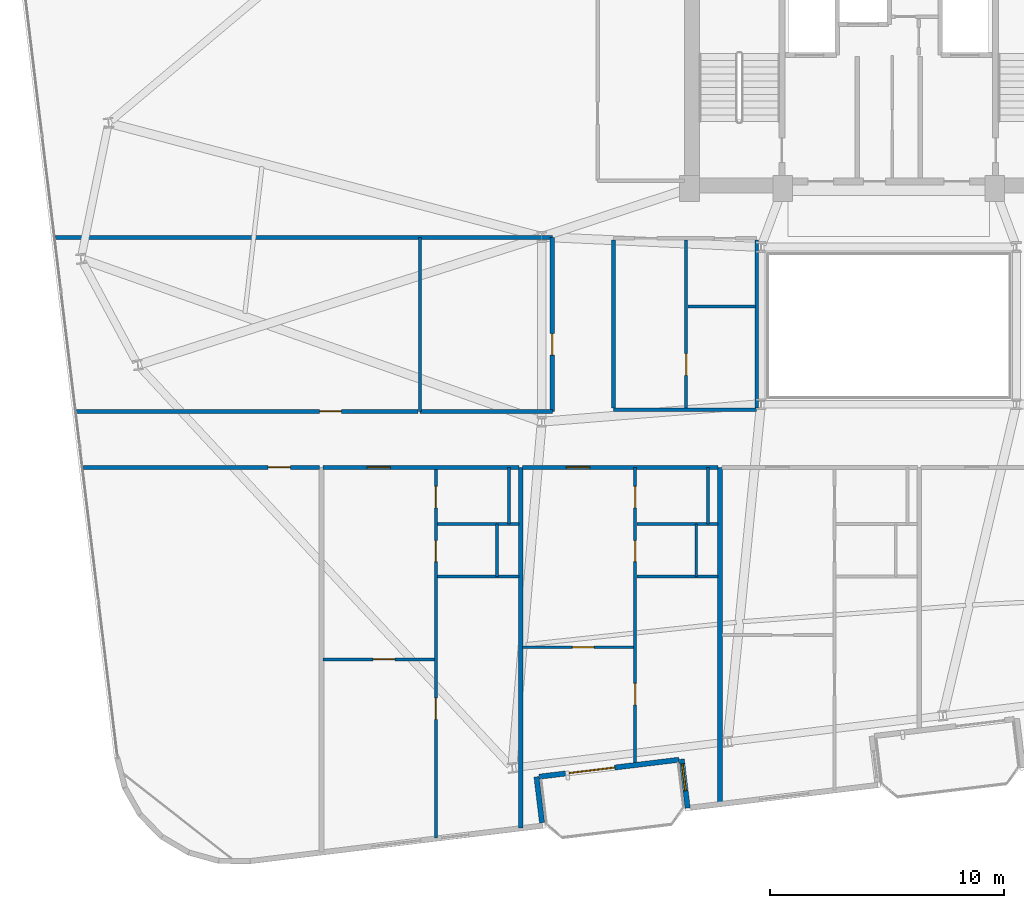
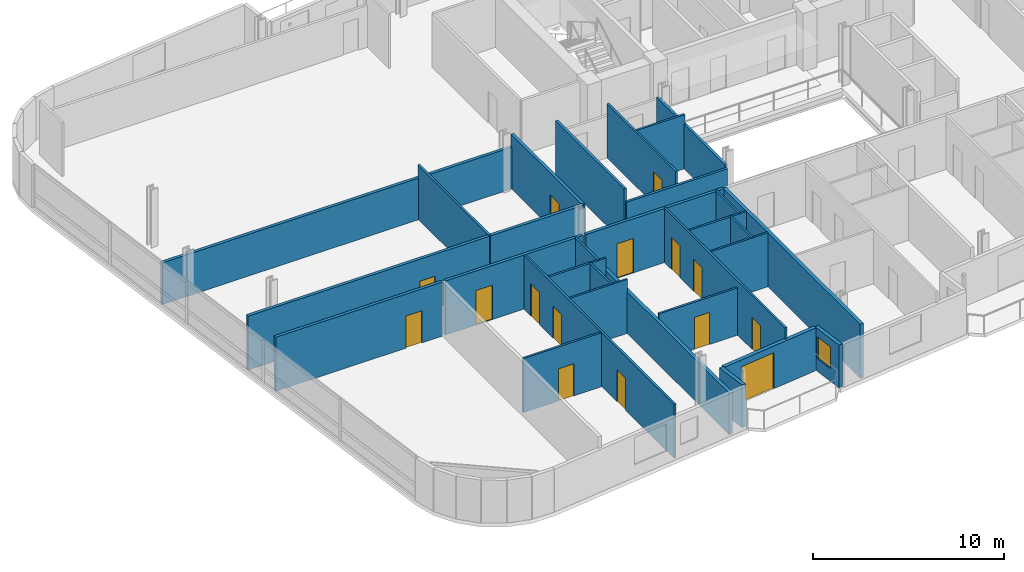
# One storey, part 15 of 24: 30 walls, 15 doors, 1 window, 16 openings.
"""IFC4 building model written with IfcOpenShell, lengths in metres."""

from ifc_helpers import new_model, si_unit, direction, frame, frame_2d, origin, place, context, subcontext, project, spatial, rectangle, extrude, material, layer, layer_set, type_object, element, fill, save


model = new_model("IFC4")

# Units and contexts
model_context = context("Model", 3, precision=1e-05, world=origin(), true_north=direction((0.0, 1.0)))
body_context = subcontext(model_context, "Body", "Model", "MODEL_VIEW")
ifc_project = project(units=[si_unit("LENGTHUNIT", "METRE"), si_unit("AREAUNIT", "SQUARE_METRE"), si_unit("VOLUMEUNIT", "CUBIC_METRE"), si_unit("PLANEANGLEUNIT", "RADIAN"), si_unit("MASSUNIT", "GRAM", prefix="KILO")], contexts=[model_context])

# Site, building, storey
site_placement = place(None, origin())
site = spatial("IfcSite", under=ifc_project, at=site_placement, CompositionType="ELEMENT")
building_placement = place(site_placement, origin())
building = spatial("IfcBuilding", under=site, at=building_placement, Name="Varnelok Gate Tower", CompositionType="ELEMENT")
storey_placement = place(building_placement, frame((0.0, 0.0, 196.800048828125)))
storey = spatial("IfcBuildingStorey", under=building, at=storey_placement, Name="L50", CompositionType="ELEMENT", Elevation=196.800048828125)

# Wall, opening, door
ifc_material_1 = material(Name="Concrete C45/55", Category="concrete")
ifc_layer_1 = layer(ifc_material_1, 0.219970703125)
ifc_layer_set_1 = layer_set([ifc_layer_1], Name="Concrete C45/55")
wall_type_1 = type_object("IfcWallType", Name="EW-BALC-220", PredefinedType="SOLIDWALL", material=ifc_layer_set_1)
wall_1_placement = place(storey_placement, frame((30.25244140625, 4.381103515625, 0.0), z_axis=(0.0, 0.0, 1.0), x_axis=(-0.992735402148, -0.120318000826, 0.0)))
wall_1 = element("IfcWall", 1, at=wall_1_placement, inside=storey, type_object=wall_type_1, Name="L50 South Terrace Envelope Wall 1", PredefinedType="SOLIDWALL", context=body_context, shape_type="SweptSolid", body=[
    extrude(rectangle(XDim=6.000244140625, YDim=0.219970703125, at=frame_2d((3.0, 0.0))), origin(), (0.0, 0.0, 1.0), 2.72998046875),
])
opening_1_placement = place(wall_1_placement, frame((2.756103515625, 0.0, 0.0)))
opening_1 = element("IfcOpeningElement", 2, at=opening_1_placement, cuts=wall_1, Name="Opening BD-2", PredefinedType="OPENING", context=body_context, shape_type="SweptSolid", body=[
    extrude(rectangle(XDim=2.10009765625, YDim=2.300048828125, at=frame_2d((1.050048828125, 1.14990234375))), frame((0.0, 0.119873046875, 0.0), z_axis=(0.0, -1.0, 0.0), x_axis=(1.0, 0.0, 0.0)), (0.0, 0.0, 1.0), 0.239990234375),
])
ifc_material_2 = material(Name="Anodized Aluminum Alloy 6063-T6", Category="aluminium")
door_type_1 = type_object("IfcDoorType", Name="DR-EXT-SLID2100", OperationType="SLIDING_TO_LEFT", PredefinedType="DOOR", material=ifc_material_2)
door_1_placement = place(opening_1_placement, origin())
door_1 = element("IfcDoor", 3, at=door_1_placement, inside=storey, type_object=door_type_1, Name="L50 South Balcony Glazed Door 1", OperationType="SLIDING_TO_LEFT", OverallHeight=2.300048828125, OverallWidth=2.10009765625, PredefinedType="DOOR", context=body_context, shape_type="SweptSolid", body=[
    extrude(rectangle(XDim=2.10009765625, YDim=2.300048828125, at=frame_2d((1.050048828125, 1.14990234375))), frame((0.0, 0.02490234375, 0.0), z_axis=(0.0, -1.0, 0.0), x_axis=(1.0, 0.0, 0.0)), (0.0, 0.0, 1.0), 0.050048828125),
])
fill(opening_1, door_1)

# Wall
wall_2_placement = place(storey_placement, frame((24.413330078125, 1.694091796875, 0.0), z_axis=(0.0, 0.0, 1.0), x_axis=(-0.120290754542, 0.992738703976, 0.0)))
element("IfcWall", 4, at=wall_2_placement, inside=storey, type_object=wall_type_1, Name="L50 Perimeter Facade Closure Wall 8", PredefinedType="SOLIDWALL", context=body_context, shape_type="SweptSolid", body=[
    extrude(rectangle(XDim=1.974853515625, YDim=0.219970703125, at=frame_2d((0.9873046875, 0.0))), origin(), (0.0, 0.0, 1.0), 2.72998046875),
])

# Wall, opening, window
wall_3_placement = place(storey_placement, frame((30.370361328125, 4.405517578125, 0.0), z_axis=(0.0, 0.0, 1.0), x_axis=(0.120327895535, -0.992734202874, 0.0)))
wall_3 = element("IfcWall", 5, at=wall_3_placement, inside=storey, type_object=wall_type_1, Name="L50 Perimeter Facade Closure Wall 9", PredefinedType="SOLIDWALL", context=body_context, shape_type="SweptSolid", body=[
    extrude(rectangle(XDim=2.099853515625, YDim=0.219970703125, at=frame_2d((1.0498046875, 0.0))), origin(), (0.0, 0.0, 1.0), 2.72998046875),
])
opening_2_placement = place(wall_3_placement, frame((0.199951171875, 0.0, 0.800048828125)))
opening_2 = element("IfcOpeningElement", 6, at=opening_2_placement, cuts=wall_3, Name="Opening WN8", PredefinedType="OPENING", context=body_context, shape_type="SweptSolid", body=[
    extrude(rectangle(XDim=1.14990234375, YDim=1.39990234375, at=frame_2d((0.574951171875, 0.699951171875))), frame((0.0, 0.119873046875, 0.0), z_axis=(0.0, -1.0, 0.0), x_axis=(1.0, 0.0, 0.0)), (0.0, 0.0, 1.0), 0.239990234375),
])
ifc_material_3 = material(Name="Low-E Laminated Double Glazing IGU", Category="glass")
window_type = type_object("IfcWindowType", Name="WN-BED-1150", PartitioningType="SINGLE_PANEL", PredefinedType="WINDOW", material=ifc_material_3)
window_placement = place(opening_2_placement, origin())
window = element("IfcWindow", 7, at=window_placement, inside=storey, type_object=window_type, Name="L50 Bedroom Vision Window 35", OverallHeight=1.39990234375, OverallWidth=1.14990234375, PartitioningType="SINGLE_PANEL", PredefinedType="WINDOW", context=body_context, shape_type="SweptSolid", body=[
    extrude(rectangle(XDim=1.14990234375, YDim=1.39990234375, at=frame_2d((0.574951171875, 0.699951171875))), frame((0.0, 0.030029296875, 0.0), z_axis=(0.0, -1.0, 0.0), x_axis=(1.0, 0.0, 0.0)), (0.0, 0.0, 1.0), 0.06005859375),
])
fill(opening_2, window)

# Wall, opening, door
ifc_material_4 = material(Name="Gypsum Plasterboard Acoustic Partition", Category="gypsum")
ifc_layer_2 = layer(ifc_material_4, 0.179931640625)
ifc_layer_set_2 = layer_set([ifc_layer_2], Name="Gypsum Plasterboard Acoustic Partition")
wall_type_2 = type_object("IfcWallType", Name="PW-CORR-180", PredefinedType="PARTITIONING", material=ifc_layer_set_2)
wall_4_placement = place(storey_placement, frame((4.846923828125, 16.85009765625, 0.0), z_axis=(0.0, 0.0, 1.0), x_axis=(1.0, 0.0, 0.0)))
wall_4 = element("IfcWall", 8, at=wall_4_placement, inside=storey, type_object=wall_type_2, Name="Interior Partition", PredefinedType="PARTITIONING", context=body_context, shape_type="SweptSolid", body=[
    extrude(rectangle(XDim=10.072998046875, YDim=0.179931640625, at=frame_2d((5.03662109375, 0.0))), origin(), (0.0, 0.0, 1.0), 3.449951171875),
])
opening_3_placement = place(wall_4_placement, frame((7.8779296875, 0.0, 0.0)))
opening_3 = element("IfcOpeningElement", 9, at=opening_3_placement, cuts=wall_4, Name="Opening D-I2", PredefinedType="OPENING", context=body_context, shape_type="SweptSolid", body=[
    extrude(rectangle(XDim=0.949951171875, YDim=2.050048828125, at=frame_2d((0.47509765625, 1.02490234375))), frame((0.0, 0.099853515625, 0.0), z_axis=(0.0, -1.0, 0.0), x_axis=(1.0, 0.0, 0.0)), (0.0, 0.0, 1.0), 0.199951171875),
])
ifc_material_5 = material(Name="Engineered Hardwood Timber", Category="wood")
door_type_2 = type_object("IfcDoorType", Name="DR-INT-950", OperationType="NOTDEFINED", PredefinedType="DOOR", material=ifc_material_5)
door_2_placement = place(opening_3_placement, origin())
door_2 = element("IfcDoor", 10, at=door_2_placement, inside=storey, type_object=door_type_2, Name="L50 Wellness Spa Lounge Door", OperationType="SINGLE_SWING_LEFT", OverallHeight=2.050048828125, OverallWidth=0.949951171875, PredefinedType="DOOR", context=body_context, shape_type="SweptSolid", body=[
    extrude(rectangle(XDim=0.949951171875, YDim=2.050048828125, at=frame_2d((0.47509765625, 1.02490234375))), frame((0.0, 0.02490234375, 0.0), z_axis=(0.0, -1.0, 0.0), x_axis=(1.0, 0.0, 0.0)), (0.0, 0.0, 1.0), 0.050048828125),
])
fill(opening_3, door_2)

wall_5_placement = place(storey_placement, frame((15.080078125, 16.85009765625, 0.0), z_axis=(0.0, 0.0, 1.0), x_axis=(1.0, 0.0, 0.0)))
wall_5 = element("IfcWall", 11, at=wall_5_placement, inside=storey, type_object=wall_type_2, Name="Interior Partition", PredefinedType="PARTITIONING", context=body_context, shape_type="SweptSolid", body=[
    extrude(rectangle(XDim=8.33984375, YDim=0.179931640625, at=frame_2d((4.169921875, 0.0))), origin(), (0.0, 0.0, 1.0), 3.449951171875),
])
opening_4_placement = place(wall_5_placement, frame((1.86767578125, 0.0, 0.0)))
opening_4 = element("IfcOpeningElement", 12, at=opening_4_placement, cuts=wall_5, Name="Opening D-AP", PredefinedType="OPENING", context=body_context, shape_type="SweptSolid", body=[
    extrude(rectangle(XDim=1.0, YDim=2.199951171875, at=frame_2d((0.5, 1.10009765625))), frame((0.0, 0.099853515625, 0.0), z_axis=(0.0, -1.0, 0.0), x_axis=(1.0, 0.0, 0.0)), (0.0, 0.0, 1.0), 0.199951171875),
])
door_type_3 = type_object("IfcDoorType", Name="DR-APT-1000", OperationType="NOTDEFINED", PredefinedType="DOOR", material=ifc_material_5)
door_3_placement = place(opening_4_placement, origin())
door_3 = element("IfcDoor", 13, at=door_3_placement, inside=storey, type_object=door_type_3, Name="L50 Apartment 2 Entrance Door", OperationType="SINGLE_SWING_LEFT", OverallHeight=2.199951171875, OverallWidth=1.0, PredefinedType="DOOR", context=body_context, shape_type="SweptSolid", body=[
    extrude(rectangle(XDim=1.0, YDim=2.199951171875, at=frame_2d((0.5, 1.10009765625))), frame((0.0, 0.02490234375, 0.0), z_axis=(0.0, -1.0, 0.0), x_axis=(1.0, 0.0, 0.0)), (0.0, 0.0, 1.0), 0.050048828125),
])
fill(opening_4, door_3)

wall_6_placement = place(storey_placement, frame((23.580078125, 16.85009765625, 0.0), z_axis=(0.0, 0.0, 1.0), x_axis=(1.0, 0.0, 0.0)))
wall_6 = element("IfcWall", 14, at=wall_6_placement, inside=storey, type_object=wall_type_2, Name="Interior Partition", PredefinedType="PARTITIONING", context=body_context, shape_type="SweptSolid", body=[
    extrude(rectangle(XDim=8.33984375, YDim=0.179931640625, at=frame_2d((4.169921875, 0.0))), origin(), (0.0, 0.0, 1.0), 3.449951171875),
])
opening_5_placement = place(wall_6_placement, frame((1.86767578125, 0.0, 0.0)))
opening_5 = element("IfcOpeningElement", 15, at=opening_5_placement, cuts=wall_6, Name="Opening D-AP", PredefinedType="OPENING", context=body_context, shape_type="SweptSolid", body=[
    extrude(rectangle(XDim=1.0, YDim=2.199951171875, at=frame_2d((0.5, 1.10009765625))), frame((0.0, 0.099853515625, 0.0), z_axis=(0.0, -1.0, 0.0), x_axis=(1.0, 0.0, 0.0)), (0.0, 0.0, 1.0), 0.199951171875),
])
door_4_placement = place(opening_5_placement, origin())
door_4 = element("IfcDoor", 16, at=door_4_placement, inside=storey, type_object=door_type_3, Name="L50 Apartment 3 Entrance Door", OperationType="SINGLE_SWING_RIGHT", OverallHeight=2.199951171875, OverallWidth=1.0, PredefinedType="DOOR", context=body_context, shape_type="SweptSolid", body=[
    extrude(rectangle(XDim=1.0, YDim=2.199951171875, at=frame_2d((0.5, 1.10009765625))), frame((0.0, 0.02490234375, 0.0), z_axis=(0.0, -1.0, 0.0), x_axis=(1.0, 0.0, 0.0)), (0.0, 0.0, 1.0), 0.050048828125),
])
fill(opening_5, door_4)

wall_7_placement = place(storey_placement, frame((4.55712890625, 19.239990234375, 0.0), z_axis=(0.0, 0.0, 1.0), x_axis=(1.0, 0.0, 0.0)))
wall_7 = element("IfcWall", 17, at=wall_7_placement, inside=storey, type_object=wall_type_2, Name="Interior Partition", PredefinedType="PARTITIONING", context=body_context, shape_type="SweptSolid", body=[
    extrude(rectangle(XDim=14.56298828125, YDim=0.179931640625, at=frame_2d((7.281494140625, 0.0))), origin(), (0.0, 0.0, 1.0), 3.449951171875),
])
opening_6_placement = place(wall_7_placement, frame((10.371826171875, 0.0, 0.0)))
opening_6 = element("IfcOpeningElement", 18, at=opening_6_placement, cuts=wall_7, Name="Opening D-I3", PredefinedType="OPENING", context=body_context, shape_type="SweptSolid", body=[
    extrude(rectangle(XDim=0.919921875, YDim=2.050048828125, at=frame_2d((0.4599609375, 1.02490234375))), frame((0.0, 0.099853515625, 0.0), z_axis=(0.0, -1.0, 0.0), x_axis=(1.0, 0.0, 0.0)), (0.0, 0.0, 1.0), 0.199951171875),
])
door_type_4 = type_object("IfcDoorType", Name="DR-INT-920", OperationType="NOTDEFINED", PredefinedType="DOOR", material=ifc_material_5)
door_5_placement = place(opening_6_placement, origin())
door_5 = element("IfcDoor", 19, at=door_5_placement, inside=storey, type_object=door_type_4, Name="L50 West Treatment Door", OperationType="SINGLE_SWING_RIGHT", OverallHeight=2.050048828125, OverallWidth=0.919921875, PredefinedType="DOOR", context=body_context, shape_type="SweptSolid", body=[
    extrude(rectangle(XDim=0.919921875, YDim=2.050048828125, at=frame_2d((0.4599609375, 1.02490234375))), frame((0.0, 0.02490234375, 0.0), z_axis=(0.0, -1.0, 0.0), x_axis=(1.0, 0.0, 0.0)), (0.0, 0.0, 1.0), 0.050048828125),
])
fill(opening_6, door_5)

wall_8_placement = place(storey_placement, frame((24.85009765625, 19.239990234375, 0.0), z_axis=(0.0, 0.0, 1.0), x_axis=(0.0, 1.0, 0.0)))
wall_8 = element("IfcWall", 20, at=wall_8_placement, inside=storey, type_object=wall_type_2, Name="Interior Partition", PredefinedType="PARTITIONING", context=body_context, shape_type="SweptSolid", body=[
    extrude(rectangle(XDim=7.419921875, YDim=0.179931640625, at=frame_2d((3.7099609375, 0.0))), origin(), (0.0, 0.0, 1.0), 3.449951171875),
])
opening_7_placement = place(wall_8_placement, frame((2.39990234375, 0.0, 0.0)))
opening_7 = element("IfcOpeningElement", 21, at=opening_7_placement, cuts=wall_8, Name="Opening D-I3", PredefinedType="OPENING", context=body_context, shape_type="SweptSolid", body=[
    extrude(rectangle(XDim=0.919921875, YDim=2.050048828125, at=frame_2d((0.4599609375, 1.02490234375))), frame((0.0, 0.099853515625, 0.0), z_axis=(0.0, -1.0, 0.0), x_axis=(1.0, 0.0, 0.0)), (0.0, 0.0, 1.0), 0.199951171875),
])
door_6_placement = place(opening_7_placement, origin())
door_6 = element("IfcDoor", 22, at=door_6_placement, inside=storey, type_object=door_type_4, Name="L50 West Playroom Door", OperationType="SINGLE_SWING_LEFT", OverallHeight=2.050048828125, OverallWidth=0.919921875, PredefinedType="DOOR", context=body_context, shape_type="SweptSolid", body=[
    extrude(rectangle(XDim=0.919921875, YDim=2.050048828125, at=frame_2d((0.4599609375, 1.02490234375))), frame((0.0, 0.02490234375, 0.0), z_axis=(0.0, -1.0, 0.0), x_axis=(1.0, 0.0, 0.0)), (0.0, 0.0, 1.0), 0.050048828125),
])
fill(opening_7, door_6)

# Walls
wall_9_placement = place(storey_placement, frame((19.199951171875, 19.239990234375, 0.0), z_axis=(0.0, 0.0, 1.0), x_axis=(1.0, 0.0, 0.0)))
element("IfcWall", 23, at=wall_9_placement, inside=storey, type_object=wall_type_2, Name="Interior Partition", PredefinedType="PARTITIONING", context=body_context, shape_type="SweptSolid", body=[
    extrude(rectangle(XDim=5.650146484375, YDim=0.179931640625, at=frame_2d((2.8251953125, 0.0))), origin(), (0.0, 0.0, 1.0), 3.449951171875),
])
wall_10_placement = place(storey_placement, frame((3.65771484375, 26.659912109375, 0.0), z_axis=(0.0, 0.0, 1.0), x_axis=(1.0, 0.0, 0.0)))
element("IfcWall", 24, at=wall_10_placement, inside=storey, type_object=wall_type_2, Name="Interior Partition", PredefinedType="PARTITIONING", context=body_context, shape_type="SweptSolid", body=[
    extrude(rectangle(XDim=21.1923828125, YDim=0.179931640625, at=frame_2d((10.59619140625, 0.0))), origin(), (0.0, 0.0, 1.0), 2.661865234375),
])
ifc_layer_3 = layer(ifc_material_4, 0.114990234375)
ifc_layer_set_3 = layer_set([ifc_layer_3], Name="Gypsum Plasterboard Acoustic Partition")
wall_type_3 = type_object("IfcWallType", Name="PW-ENS-125", PredefinedType="PARTITIONING", material=ifc_layer_set_3)
wall_11_placement = place(storey_placement, frame((19.955078125, 12.199951171875, 0.0), z_axis=(0.0, 0.0, 1.0), x_axis=(1.0, 0.0, 0.0)))
element("IfcWall", 25, at=wall_11_placement, inside=storey, type_object=wall_type_3, Name="Interior Partition", PredefinedType="PARTITIONING", context=body_context, shape_type="SweptSolid", body=[
    extrude(rectangle(XDim=3.46484375, YDim=0.114990234375, at=frame_2d((1.732421875, 0.0))), origin(), (0.0, 0.0, 1.0), 3.449951171875),
])
wall_12_placement = place(storey_placement, frame((22.4951171875, 12.199951171875, 0.0), z_axis=(0.0, 0.0, 1.0), x_axis=(0.0, 1.0, 0.0)))
element("IfcWall", 26, at=wall_12_placement, inside=storey, type_object=wall_type_3, Name="Interior Partition", PredefinedType="PARTITIONING", context=body_context, shape_type="SweptSolid", body=[
    extrude(rectangle(XDim=2.239990234375, YDim=0.114990234375, at=frame_2d((1.1201171875, 0.0))), origin(), (0.0, 0.0, 1.0), 3.449951171875),
])
wall_13_placement = place(storey_placement, frame((28.455078125, 12.199951171875, 0.0), z_axis=(0.0, 0.0, 1.0), x_axis=(1.0, 0.0, 0.0)))
element("IfcWall", 27, at=wall_13_placement, inside=storey, type_object=wall_type_3, Name="Interior Partition", PredefinedType="PARTITIONING", context=body_context, shape_type="SweptSolid", body=[
    extrude(rectangle(XDim=3.46484375, YDim=0.114990234375, at=frame_2d((1.732421875, 0.0))), origin(), (0.0, 0.0, 1.0), 3.449951171875),
])
wall_14_placement = place(storey_placement, frame((30.9951171875, 12.199951171875, 0.0), z_axis=(0.0, 0.0, 1.0), x_axis=(0.0, 1.0, 0.0)))
element("IfcWall", 28, at=wall_14_placement, inside=storey, type_object=wall_type_3, Name="Interior Partition", PredefinedType="PARTITIONING", context=body_context, shape_type="SweptSolid", body=[
    extrude(rectangle(XDim=2.239990234375, YDim=0.114990234375, at=frame_2d((1.1201171875, 0.0))), origin(), (0.0, 0.0, 1.0), 3.449951171875),
])

# Wall, opening, door
ifc_layer_4 = layer(ifc_material_4, 0.125)
ifc_layer_set_4 = layer_set([ifc_layer_4], Name="Gypsum Plasterboard Acoustic Partition")
wall_type_4 = type_object("IfcWallType", Name="PW-PART-125", PredefinedType="PARTITIONING", material=ifc_layer_set_4)
wall_15_placement = place(storey_placement, frame((15.080078125, 8.663330078125, 0.0), z_axis=(0.0, 0.0, 1.0), x_axis=(1.0, 0.0, 0.0)))
wall_15 = element("IfcWall", 29, at=wall_15_placement, inside=storey, type_object=wall_type_4, Name="Interior Partition", PredefinedType="PARTITIONING", context=body_context, shape_type="SweptSolid", body=[
    extrude(rectangle(XDim=4.735107421875, YDim=0.125, at=frame_2d((2.36767578125, 0.0))), origin(), (0.0, 0.0, 1.0), 3.449951171875),
])
opening_8_placement = place(wall_15_placement, frame((2.130859375, 0.0, 0.0)))
opening_8 = element("IfcOpeningElement", 30, at=opening_8_placement, cuts=wall_15, Name="Opening D-I3", PredefinedType="OPENING", context=body_context, shape_type="SweptSolid", body=[
    extrude(rectangle(XDim=0.919921875, YDim=2.050048828125, at=frame_2d((0.4599609375, 1.02490234375))), frame((0.0, 0.072509765625, 0.0), z_axis=(0.0, -1.0, 0.0), x_axis=(1.0, 0.0, 0.0)), (0.0, 0.0, 1.0), 0.14501953125),
])
door_7_placement = place(opening_8_placement, origin())
door_7 = element("IfcDoor", 31, at=door_7_placement, inside=storey, type_object=door_type_4, Name="L50 Apartment 2 Study Door", OperationType="SINGLE_SWING_LEFT", OverallHeight=2.050048828125, OverallWidth=0.919921875, PredefinedType="DOOR", context=body_context, shape_type="SweptSolid", body=[
    extrude(rectangle(XDim=0.919921875, YDim=2.050048828125, at=frame_2d((0.4599609375, 1.02490234375))), frame((0.0, 0.02490234375, 0.0), z_axis=(0.0, -1.0, 0.0), x_axis=(1.0, 0.0, 0.0)), (0.0, 0.0, 1.0), 0.050048828125),
])
fill(opening_8, door_7)

# Wall, openings, doors
wall_16_placement = place(storey_placement, frame((19.88525390625, 1.039306640625, 0.0), z_axis=(0.0, 0.0, 1.0), x_axis=(0.0, 1.0, 0.0)))
wall_16 = element("IfcWall", 32, at=wall_16_placement, inside=storey, type_object=wall_type_4, Name="Interior Partition", PredefinedType="PARTITIONING", context=body_context, shape_type="SweptSolid", body=[
    extrude(rectangle(XDim=15.810791015625, YDim=0.125, at=frame_2d((7.9052734375, 0.0))), origin(), (0.0, 0.0, 1.0), 3.449951171875),
])
opening_9_placement = place(wall_16_placement, frame((5.060302734375, 0.0, 0.0)))
opening_9 = element("IfcOpeningElement", 33, at=opening_9_placement, cuts=wall_16, Name="Opening D-I3", PredefinedType="OPENING", context=body_context, shape_type="SweptSolid", body=[
    extrude(rectangle(XDim=0.919921875, YDim=2.050048828125, at=frame_2d((0.4599609375, 1.02490234375))), frame((0.0, 0.072509765625, 0.0), z_axis=(0.0, -1.0, 0.0), x_axis=(1.0, 0.0, 0.0)), (0.0, 0.0, 1.0), 0.14501953125),
])
opening_10_placement = place(wall_16_placement, frame((11.7880859375, 0.0, 0.0)))
opening_10 = element("IfcOpeningElement", 34, at=opening_10_placement, cuts=wall_16, Name="Opening D-WC", PredefinedType="OPENING", context=body_context, shape_type="SweptSolid", body=[
    extrude(rectangle(XDim=0.89990234375, YDim=2.050048828125, at=frame_2d((0.449951171875, 1.02490234375))), frame((0.0, 0.072509765625, 0.0), z_axis=(0.0, -1.0, 0.0), x_axis=(1.0, 0.0, 0.0)), (0.0, 0.0, 1.0), 0.14501953125),
])
opening_11_placement = place(wall_16_placement, frame((14.080810546875, 0.0, 0.0)))
opening_11 = element("IfcOpeningElement", 35, at=opening_11_placement, cuts=wall_16, Name="Opening D-I3", PredefinedType="OPENING", context=body_context, shape_type="SweptSolid", body=[
    extrude(rectangle(XDim=0.919921875, YDim=2.050048828125, at=frame_2d((0.4599609375, 1.02490234375))), frame((0.0, 0.072509765625, 0.0), z_axis=(0.0, -1.0, 0.0), x_axis=(1.0, 0.0, 0.0)), (0.0, 0.0, 1.0), 0.14501953125),
])
door_type_5 = type_object("IfcDoorType", Name="DR-BATH-900", OperationType="NOTDEFINED", PredefinedType="DOOR", material=ifc_material_5)
door_8_placement = place(opening_10_placement, origin())
door_8 = element("IfcDoor", 36, at=door_8_placement, inside=storey, type_object=door_type_5, Name="L50 Apartment 2 Bathroom Door", OperationType="SINGLE_SWING_LEFT", OverallHeight=2.050048828125, OverallWidth=0.89990234375, PredefinedType="DOOR", context=body_context, shape_type="SweptSolid", body=[
    extrude(rectangle(XDim=0.89990234375, YDim=2.050048828125, at=frame_2d((0.449951171875, 1.02490234375))), frame((0.0, 0.02490234375, 0.0), z_axis=(0.0, -1.0, 0.0), x_axis=(1.0, 0.0, 0.0)), (0.0, 0.0, 1.0), 0.050048828125),
])
fill(opening_10, door_8)
door_9_placement = place(opening_9_placement, origin())
door_9 = element("IfcDoor", 37, at=door_9_placement, inside=storey, type_object=door_type_4, Name="L50 Apartment 2 Bedroom Door", OperationType="SINGLE_SWING_RIGHT", OverallHeight=2.050048828125, OverallWidth=0.919921875, PredefinedType="DOOR", context=body_context, shape_type="SweptSolid", body=[
    extrude(rectangle(XDim=0.919921875, YDim=2.050048828125, at=frame_2d((0.4599609375, 1.02490234375))), frame((0.0, 0.02490234375, 0.0), z_axis=(0.0, -1.0, 0.0), x_axis=(1.0, 0.0, 0.0)), (0.0, 0.0, 1.0), 0.050048828125),
])
fill(opening_9, door_9)
door_10_placement = place(opening_11_placement, origin())
door_10 = element("IfcDoor", 38, at=door_10_placement, inside=storey, type_object=door_type_4, Name="L50 Apartment 2 Kitchen Door", OperationType="SINGLE_SWING_RIGHT", OverallHeight=2.050048828125, OverallWidth=0.919921875, PredefinedType="DOOR", context=body_context, shape_type="SweptSolid", body=[
    extrude(rectangle(XDim=0.919921875, YDim=2.050048828125, at=frame_2d((0.4599609375, 1.02490234375))), frame((0.0, 0.02490234375, 0.0), z_axis=(0.0, -1.0, 0.0), x_axis=(1.0, 0.0, 0.0)), (0.0, 0.0, 1.0), 0.050048828125),
])
fill(opening_11, door_10)

# Walls
wall_17_placement = place(storey_placement, frame((19.955078125, 14.43994140625, 0.0), z_axis=(0.0, 0.0, 1.0), x_axis=(1.0, 0.0, 0.0)))
element("IfcWall", 39, at=wall_17_placement, inside=storey, type_object=wall_type_4, Name="Interior Partition", PredefinedType="PARTITIONING", context=body_context, shape_type="SweptSolid", body=[
    extrude(rectangle(XDim=3.46484375, YDim=0.125, at=frame_2d((1.732421875, 0.0))), origin(), (0.0, 0.0, 1.0), 3.449951171875),
])
wall_18_placement = place(storey_placement, frame((22.9951171875, 14.43994140625, 0.0), z_axis=(0.0, 0.0, 1.0), x_axis=(0.0, 1.0, 0.0)))
element("IfcWall", 40, at=wall_18_placement, inside=storey, type_object=wall_type_4, Name="Interior Partition", PredefinedType="PARTITIONING", context=body_context, shape_type="SweptSolid", body=[
    extrude(rectangle(XDim=2.41015625, YDim=0.125, at=frame_2d((1.205078125, 0.0))), origin(), (0.0, 0.0, 1.0), 3.449951171875),
])

# Wall, opening, door
wall_19_placement = place(storey_placement, frame((23.580078125, 9.1787109375, 0.0), z_axis=(0.0, 0.0, 1.0), x_axis=(1.0, 0.0, 0.0)))
wall_19 = element("IfcWall", 41, at=wall_19_placement, inside=storey, type_object=wall_type_4, Name="Interior Partition", PredefinedType="PARTITIONING", context=body_context, shape_type="SweptSolid", body=[
    extrude(rectangle(XDim=4.735107421875, YDim=0.125, at=frame_2d((2.36767578125, 0.0))), origin(), (0.0, 0.0, 1.0), 3.01806640625),
])
opening_12_placement = place(wall_19_placement, frame((2.130859375, 0.0, 0.0)))
opening_12 = element("IfcOpeningElement", 42, at=opening_12_placement, cuts=wall_19, Name="Opening D-I3", PredefinedType="OPENING", context=body_context, shape_type="SweptSolid", body=[
    extrude(rectangle(XDim=0.919921875, YDim=2.050048828125, at=frame_2d((0.4599609375, 1.02490234375))), frame((0.0, 0.072509765625, 0.0), z_axis=(0.0, -1.0, 0.0), x_axis=(1.0, 0.0, 0.0)), (0.0, 0.0, 1.0), 0.14501953125),
])
door_11_placement = place(opening_12_placement, origin())
door_11 = element("IfcDoor", 43, at=door_11_placement, inside=storey, type_object=door_type_4, Name="L50 Apartment 3 Study Door", OperationType="SINGLE_SWING_LEFT", OverallHeight=2.050048828125, OverallWidth=0.919921875, PredefinedType="DOOR", context=body_context, shape_type="SweptSolid", body=[
    extrude(rectangle(XDim=0.919921875, YDim=2.050048828125, at=frame_2d((0.4599609375, 1.02490234375))), frame((0.0, 0.02490234375, 0.0), z_axis=(0.0, -1.0, 0.0), x_axis=(1.0, 0.0, 0.0)), (0.0, 0.0, 1.0), 0.050048828125),
])
fill(opening_12, door_11)

# Wall, openings, doors
wall_20_placement = place(storey_placement, frame((28.38525390625, 4.18505859375, 0.0), z_axis=(0.0, 0.0, 1.0), x_axis=(0.0, 1.0, 0.0)))
wall_20 = element("IfcWall", 44, at=wall_20_placement, inside=storey, type_object=wall_type_4, Name="Interior Partition", PredefinedType="PARTITIONING", context=body_context, shape_type="SweptSolid", body=[
    extrude(rectangle(XDim=12.6650390625, YDim=0.125, at=frame_2d((6.33251953125, 0.0))), origin(), (0.0, 0.0, 1.0), 3.449951171875),
])
opening_13_placement = place(wall_20_placement, frame((2.531494140625, 0.0, 0.0)))
opening_13 = element("IfcOpeningElement", 45, at=opening_13_placement, cuts=wall_20, Name="Opening D-I3", PredefinedType="OPENING", context=body_context, shape_type="SweptSolid", body=[
    extrude(rectangle(XDim=0.919921875, YDim=2.050048828125, at=frame_2d((0.4599609375, 1.02490234375))), frame((0.0, 0.072509765625, 0.0), z_axis=(0.0, -1.0, 0.0), x_axis=(1.0, 0.0, 0.0)), (0.0, 0.0, 1.0), 0.14501953125),
])
opening_14_placement = place(wall_20_placement, frame((8.64208984375, 0.0, 0.0)))
opening_14 = element("IfcOpeningElement", 46, at=opening_14_placement, cuts=wall_20, Name="Opening D-WC", PredefinedType="OPENING", context=body_context, shape_type="SweptSolid", body=[
    extrude(rectangle(XDim=0.89990234375, YDim=2.050048828125, at=frame_2d((0.449951171875, 1.02490234375))), frame((0.0, 0.072509765625, 0.0), z_axis=(0.0, -1.0, 0.0), x_axis=(1.0, 0.0, 0.0)), (0.0, 0.0, 1.0), 0.14501953125),
])
opening_15_placement = place(wall_20_placement, frame((10.934814453125, 0.0, 0.0)))
opening_15 = element("IfcOpeningElement", 47, at=opening_15_placement, cuts=wall_20, Name="Opening D-I3", PredefinedType="OPENING", context=body_context, shape_type="SweptSolid", body=[
    extrude(rectangle(XDim=0.919921875, YDim=2.050048828125, at=frame_2d((0.4599609375, 1.02490234375))), frame((0.0, 0.072509765625, 0.0), z_axis=(0.0, -1.0, 0.0), x_axis=(1.0, 0.0, 0.0)), (0.0, 0.0, 1.0), 0.14501953125),
])
door_12_placement = place(opening_14_placement, origin())
door_12 = element("IfcDoor", 48, at=door_12_placement, inside=storey, type_object=door_type_5, Name="L50 Apartment 3 Bathroom Door", OperationType="SINGLE_SWING_LEFT", OverallHeight=2.050048828125, OverallWidth=0.89990234375, PredefinedType="DOOR", context=body_context, shape_type="SweptSolid", body=[
    extrude(rectangle(XDim=0.89990234375, YDim=2.050048828125, at=frame_2d((0.449951171875, 1.02490234375))), frame((0.0, 0.02490234375, 0.0), z_axis=(0.0, -1.0, 0.0), x_axis=(1.0, 0.0, 0.0)), (0.0, 0.0, 1.0), 0.050048828125),
])
fill(opening_14, door_12)
door_13_placement = place(opening_13_placement, origin())
door_13 = element("IfcDoor", 49, at=door_13_placement, inside=storey, type_object=door_type_4, Name="L50 Apartment 3 Bedroom Door", OperationType="SINGLE_SWING_RIGHT", OverallHeight=2.050048828125, OverallWidth=0.919921875, PredefinedType="DOOR", context=body_context, shape_type="SweptSolid", body=[
    extrude(rectangle(XDim=0.919921875, YDim=2.050048828125, at=frame_2d((0.4599609375, 1.02490234375))), frame((0.0, 0.02490234375, 0.0), z_axis=(0.0, -1.0, 0.0), x_axis=(1.0, 0.0, 0.0)), (0.0, 0.0, 1.0), 0.050048828125),
])
fill(opening_13, door_13)
door_14_placement = place(opening_15_placement, origin())
door_14 = element("IfcDoor", 50, at=door_14_placement, inside=storey, type_object=door_type_4, Name="L50 Apartment 3 Kitchen Door", OperationType="SINGLE_SWING_RIGHT", OverallHeight=2.050048828125, OverallWidth=0.919921875, PredefinedType="DOOR", context=body_context, shape_type="SweptSolid", body=[
    extrude(rectangle(XDim=0.919921875, YDim=2.050048828125, at=frame_2d((0.4599609375, 1.02490234375))), frame((0.0, 0.02490234375, 0.0), z_axis=(0.0, -1.0, 0.0), x_axis=(1.0, 0.0, 0.0)), (0.0, 0.0, 1.0), 0.050048828125),
])
fill(opening_15, door_14)

# Walls
wall_21_placement = place(storey_placement, frame((28.455078125, 14.43994140625, 0.0), z_axis=(0.0, 0.0, 1.0), x_axis=(1.0, 0.0, 0.0)))
element("IfcWall", 51, at=wall_21_placement, inside=storey, type_object=wall_type_4, Name="Interior Partition", PredefinedType="PARTITIONING", context=body_context, shape_type="SweptSolid", body=[
    extrude(rectangle(XDim=3.46484375, YDim=0.125, at=frame_2d((1.732421875, 0.0))), origin(), (0.0, 0.0, 1.0), 3.449951171875),
])
wall_22_placement = place(storey_placement, frame((31.4951171875, 14.43994140625, 0.0), z_axis=(0.0, 0.0, 1.0), x_axis=(0.0, 1.0, 0.0)))
element("IfcWall", 52, at=wall_22_placement, inside=storey, type_object=wall_type_4, Name="Interior Partition", PredefinedType="PARTITIONING", context=body_context, shape_type="SweptSolid", body=[
    extrude(rectangle(XDim=2.41015625, YDim=0.125, at=frame_2d((1.205078125, 0.0))), origin(), (0.0, 0.0, 1.0), 3.449951171875),
])
wall_23_placement = place(storey_placement, frame((19.199951171875, 19.239990234375, 0.0), z_axis=(0.0, 0.0, 1.0), x_axis=(0.0, 1.0, 0.0)))
element("IfcWall", 53, at=wall_23_placement, inside=storey, type_object=wall_type_4, Name="Interior Partition", PredefinedType="PARTITIONING", context=body_context, shape_type="SweptSolid", body=[
    extrude(rectangle(XDim=7.419921875, YDim=0.125, at=frame_2d((3.7099609375, 0.0))), origin(), (0.0, 0.0, 1.0), 3.449951171875),
])

# Wall, opening, door
wall_24_placement = place(storey_placement, frame((30.56005859375, 19.3798828125, 0.0), z_axis=(0.0, 0.0, 1.0), x_axis=(0.0, 1.0, 0.0)))
wall_24 = element("IfcWall", 54, at=wall_24_placement, inside=storey, type_object=wall_type_4, Name="Interior Partition", PredefinedType="PARTITIONING", context=body_context, shape_type="SweptSolid", body=[
    extrude(rectangle(XDim=7.16015625, YDim=0.125, at=frame_2d((3.580078125, 0.0))), origin(), (0.0, 0.0, 1.0), 3.449951171875),
])
opening_16_placement = place(wall_24_placement, frame((1.39990234375, 0.0, 0.0)))
opening_16 = element("IfcOpeningElement", 55, at=opening_16_placement, cuts=wall_24, Name="Opening D-I3", PredefinedType="OPENING", context=body_context, shape_type="SweptSolid", body=[
    extrude(rectangle(XDim=0.919921875, YDim=2.050048828125, at=frame_2d((0.4599609375, 1.02490234375))), frame((0.0, 0.072509765625, 0.0), z_axis=(0.0, -1.0, 0.0), x_axis=(1.0, 0.0, 0.0)), (0.0, 0.0, 1.0), 0.14501953125),
])
door_15_placement = place(opening_16_placement, origin())
door_15 = element("IfcDoor", 56, at=door_15_placement, inside=storey, type_object=door_type_4, Name="L50 Floor Linen Store Door", OperationType="SINGLE_SWING_RIGHT", OverallHeight=2.050048828125, OverallWidth=0.919921875, PredefinedType="DOOR", context=body_context, shape_type="SweptSolid", body=[
    extrude(rectangle(XDim=0.919921875, YDim=2.050048828125, at=frame_2d((0.4599609375, 1.02490234375))), frame((0.0, 0.02490234375, 0.0), z_axis=(0.0, -1.0, 0.0), x_axis=(1.0, 0.0, 0.0)), (0.0, 0.0, 1.0), 0.050048828125),
])
fill(opening_16, door_15)

# Walls
wall_25_placement = place(storey_placement, frame((30.639892578125, 23.7099609375, 0.0), z_axis=(0.0, 0.0, 1.0), x_axis=(1.0, 0.0, 0.0)))
element("IfcWall", 57, at=wall_25_placement, inside=storey, type_object=wall_type_4, Name="Interior Partition", PredefinedType="PARTITIONING", context=body_context, shape_type="SweptSolid", body=[
    extrude(rectangle(XDim=2.880126953125, YDim=0.125, at=frame_2d((1.43994140625, 0.0))), origin(), (0.0, 0.0, 1.0), 3.449951171875),
])
ifc_layer_5 = layer(ifc_material_4, 0.14990234375)
ifc_layer_set_5 = layer_set([ifc_layer_5], Name="Gypsum Plasterboard Acoustic Partition")
wall_type_5 = type_object("IfcWallType", Name="PW-PART-150", PredefinedType="PARTITIONING", material=ifc_layer_set_5)
wall_26_placement = place(storey_placement, frame((27.4599609375, 19.300048828125, 0.0), z_axis=(0.0, 0.0, 1.0), x_axis=(1.0, 0.0, 0.0)))
element("IfcWall", 58, at=wall_26_placement, inside=storey, type_object=wall_type_5, Name="Interior Partition", PredefinedType="PARTITIONING", context=body_context, shape_type="SweptSolid", body=[
    extrude(rectangle(XDim=6.10009765625, YDim=0.14990234375, at=frame_2d((3.050048828125, 0.0))), origin(), (0.0, 0.0, 1.0), 2.661865234375),
])
wall_27_placement = place(storey_placement, frame((27.4599609375, 19.3798828125, 0.0), z_axis=(0.0, 0.0, 1.0), x_axis=(0.0, 1.0, 0.0)))
element("IfcWall", 59, at=wall_27_placement, inside=storey, type_object=wall_type_5, Name="Interior Partition", PredefinedType="PARTITIONING", context=body_context, shape_type="SweptSolid", body=[
    extrude(rectangle(XDim=7.16015625, YDim=0.14990234375, at=frame_2d((3.580078125, 0.0))), origin(), (0.0, 0.0, 1.0), 3.449951171875),
])
wall_28_placement = place(storey_placement, frame((33.56005859375, 19.3798828125, 0.0), z_axis=(0.0, 0.0, 1.0), x_axis=(0.0, 1.0, 0.0)))
element("IfcWall", 60, at=wall_28_placement, inside=storey, type_object=wall_type_5, Name="Interior Partition", PredefinedType="PARTITIONING", context=body_context, shape_type="SweptSolid", body=[
    extrude(rectangle(XDim=7.16015625, YDim=0.14990234375, at=frame_2d((3.580078125, 0.0))), origin(), (0.0, 0.0, 1.0), 2.823974609375),
])
ifc_layer_6 = layer(ifc_material_4, 0.205078125)
ifc_layer_set_6 = layer_set([ifc_layer_6], Name="Gypsum Plasterboard Acoustic Partition")
wall_type_6 = type_object("IfcWallType", Name="PW-PARTY-200", PredefinedType="PARTITIONING", material=ifc_layer_set_6)
wall_29_placement = place(storey_placement, frame((23.5, 1.4775390625, 0.0), z_axis=(0.0, 0.0, 1.0), x_axis=(0.0, 1.0, 0.0)))
element("IfcWall", 61, at=wall_29_placement, inside=storey, type_object=wall_type_6, Name="L50 South Party Wall 2", PredefinedType="PARTITIONING", context=body_context, shape_type="SweptSolid", body=[
    extrude(rectangle(XDim=15.37255859375, YDim=0.205078125, at=frame_2d((7.686279296875, 0.0))), origin(), (0.0, 0.0, 1.0), 2.661865234375),
])
wall_30_placement = place(storey_placement, frame((32.0, 2.5078125, 0.0), z_axis=(0.0, 0.0, 1.0), x_axis=(0.0, 1.0, 0.0)))
element("IfcWall", 62, at=wall_30_placement, inside=storey, type_object=wall_type_6, Name="L50 South Party Wall 3", PredefinedType="PARTITIONING", context=body_context, shape_type="SweptSolid", body=[
    extrude(rectangle(XDim=14.34228515625, YDim=0.205078125, at=frame_2d((7.171142578125, 0.0))), origin(), (0.0, 0.0, 1.0), 3.449951171875),
])

save(model, "model.ifc")
